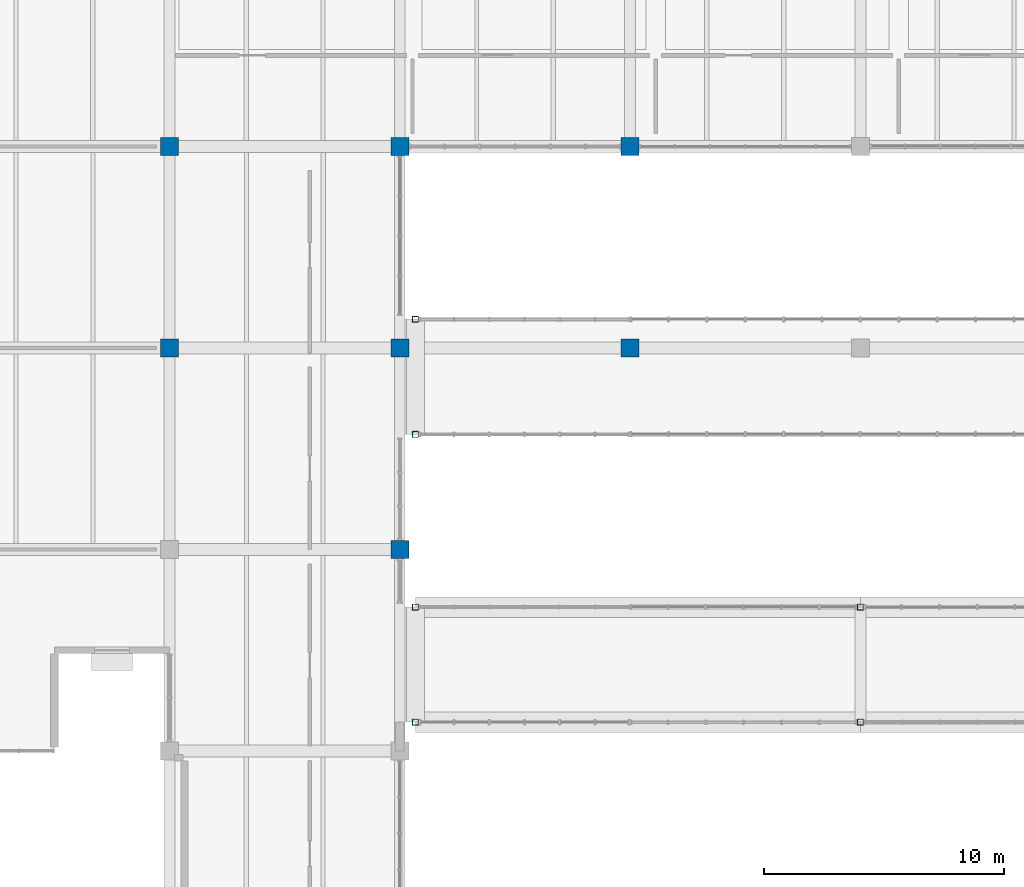
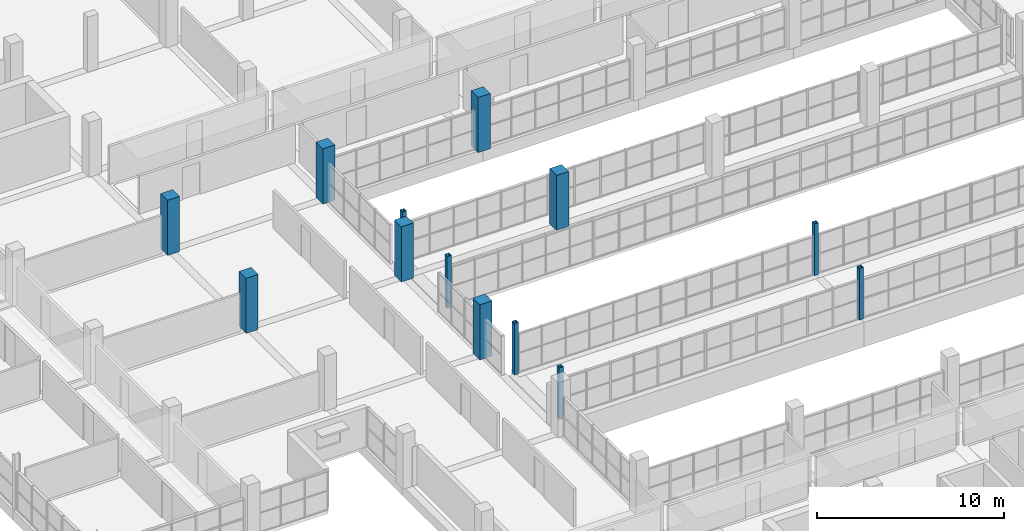
# One storey, part 15 of 147: 13 columns.
"""IFC4 building model written with IfcOpenShell, lengths in metres."""

from ifc_helpers import new_model, si_unit, direction, frame, origin, origin_2d, place, context, subcontext, project, spatial, rectangle, hollow_rectangle, extrude, material, material_profile, profile_set, type_object, element, save


model = new_model("IFC4")

# Units and contexts
model_context = context("Model", 3, precision=1e-05, world=origin(), true_north=direction((0.0, 1.0)))
body_context = subcontext(model_context, "Body", "Model", "MODEL_VIEW")
ifc_project = project(units=[si_unit("LENGTHUNIT", "METRE"), si_unit("AREAUNIT", "SQUARE_METRE"), si_unit("VOLUMEUNIT", "CUBIC_METRE"), si_unit("PLANEANGLEUNIT", "RADIAN"), si_unit("MASSUNIT", "GRAM", prefix="KILO")], contexts=[model_context])

# Site, building, storey
site_placement = place(None, origin())
site = spatial("IfcSite", under=ifc_project, at=site_placement, CompositionType="ELEMENT")
building_placement = place(site_placement, origin())
building = spatial("IfcBuilding", under=site, at=building_placement, Name="Oolite Switchyard Hospital", CompositionType="ELEMENT")
storey_placement = place(building_placement, frame((0.0, 0.0, 9.89990234375)))
storey = spatial("IfcBuildingStorey", under=building, at=storey_placement, Name="L02", CompositionType="ELEMENT", Elevation=9.89990234375)

# Columns
ifc_material_1 = material(Name="Steel ASTM A500 Grade C", Category="steel")
ifc_material_profile_1 = material_profile(ifc_material_1, hollow_rectangle(XDim=0.25390625, YDim=0.25390625, WallThickness=0.012939453125, at=origin_2d()), Name="HSS254X254X13")
ifc_profile_set_1 = profile_set([ifc_material_profile_1], Name="Steel ASTM A500 Grade C")
column_type_1 = type_object("IfcColumnType", Name="COL-HSS254", PredefinedType="COLUMN", material=ifc_profile_set_1)
for number, where, z_axis, x_axis, name in (
    (1, (144.64990234375, 34.800048828125, 0.0), (0.0, 0.0, 1.0), (1.0, 0.0, 0.0), "L02 Column 826"),
    (2, (144.64990234375, 39.60009765625, 0.0), (0.0, 0.0, 1.0), (1.0, 0.0, 0.0), "L02 Column 827"),
    (3, (144.64990234375, 46.800048828125, 0.0), (0.0, 0.0, 1.0), (1.0, 0.0, 0.0), "L02 Column 828"),
    (4, (144.64990234375, 51.60009765625, 0.0), (0.0, 0.0, 1.0), (1.0, 0.0, 0.0), "L02 Column 829"),
    (5, (163.199951171875, 34.800048828125, 0.0), (0.0, 0.0, 1.0), (1.0, 0.0, 0.0), "L02 Column 847"),
    (6, (163.199951171875, 39.60009765625, 0.0), (0.0, 0.0, 1.0), (1.0, 0.0, 0.0), "L02 Column 848"),
):
    element("IfcColumn", number, at=place(storey_placement, frame(where, z_axis=z_axis, x_axis=x_axis)), inside=storey, type_object=column_type_1, Name=name, PredefinedType="COLUMN", context=body_context, shape_type="SweptSolid", body=[
        extrude(hollow_rectangle(XDim=0.25390625, YDim=0.25390625, WallThickness=0.012939453125, at=origin_2d()), origin(), (0.0, 0.0, 1.0), 3.380126953125),
    ])
ifc_material_2 = material(Name="Concrete C50/60", Category="concrete")
ifc_material_profile_2 = material_profile(ifc_material_2, rectangle(XDim=0.75, YDim=0.75, at=origin_2d()), Name="RC750X750")
ifc_profile_set_2 = profile_set([ifc_material_profile_2], Name="Concrete C50/60")
column_type_2 = type_object("IfcColumnType", Name="COL-RC750", PredefinedType="COLUMN", material=ifc_profile_set_2)
for number, where, z_axis, x_axis, name in (
    (7, (134.39990234375, 50.39990234375, 0.0), (0.0, 0.0, 1.0), (1.0, 0.0, 0.0), "L02 Column 799"),
    (8, (134.39990234375, 58.800048828125, 0.0), (0.0, 0.0, 1.0), (1.0, 0.0, 0.0), "L02 Column 800"),
    (9, (144.0, 42.0, 0.0), (0.0, 0.0, 1.0), (1.0, 0.0, 0.0), "L02 Column 814"),
    (10, (144.0, 50.39990234375, 0.0), (0.0, 0.0, 1.0), (1.0, 0.0, 0.0), "L02 Column 815"),
    (11, (144.0, 58.800048828125, 0.0), (0.0, 0.0, 1.0), (1.0, 0.0, 0.0), "L02 Column 816"),
    (12, (153.60009765625, 50.39990234375, 0.0), (0.0, 0.0, 1.0), (1.0, 0.0, 0.0), "L02 Column 833"),
    (13, (153.60009765625, 58.800048828125, 0.0), (0.0, 0.0, 1.0), (1.0, 0.0, 0.0), "L02 Column 834"),
):
    element("IfcColumn", number, at=place(storey_placement, frame(where, z_axis=z_axis, x_axis=x_axis)), inside=storey, type_object=column_type_2, Name=name, PredefinedType="COLUMN", context=body_context, shape_type="SweptSolid", body=[
        extrude(rectangle(XDim=0.75, YDim=0.75, at=origin_2d()), origin(), (0.0, 0.0, 1.0), 3.60009765625),
    ])

save(model, "model.ifc")
